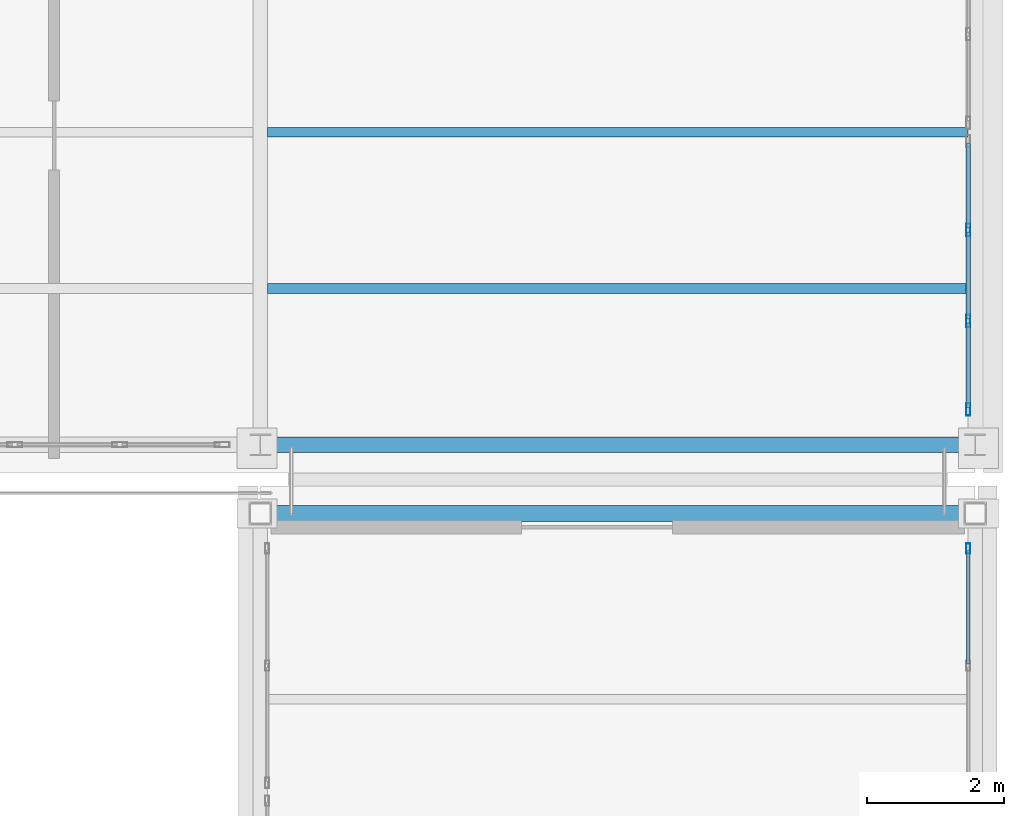
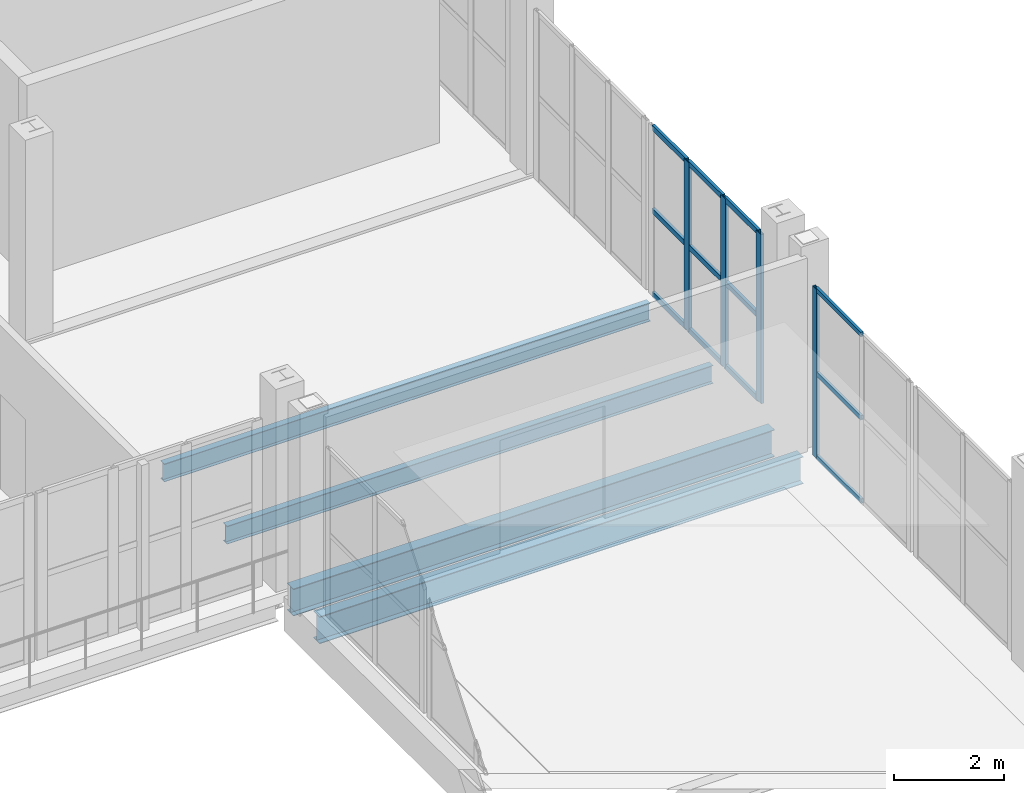
# One storey, part 95 of 156: 16 members, 4 beams, 2 elements without a shape of their own.
"""IFC4 building model written with IfcOpenShell, lengths in metres."""

from ifc_helpers import new_model, si_unit, direction, frame, origin, origin_2d, place, context, subcontext, project, spatial, hollow_rectangle, i_section, extrude, material, material_profile, profile_set, type_object, element, aggregate, save


model = new_model("IFC4")

# Units and contexts
model_context = context("Model", 3, precision=1e-05, world=origin(), true_north=direction((0.0, 1.0)))
body_context = subcontext(model_context, "Body", "Model", "MODEL_VIEW")
ifc_project = project(units=[si_unit("LENGTHUNIT", "METRE"), si_unit("AREAUNIT", "SQUARE_METRE"), si_unit("VOLUMEUNIT", "CUBIC_METRE"), si_unit("PLANEANGLEUNIT", "RADIAN"), si_unit("MASSUNIT", "GRAM", prefix="KILO")], contexts=[model_context])

# Site, building, storey
site_placement = place(None, origin())
site = spatial("IfcSite", under=ifc_project, at=site_placement, CompositionType="ELEMENT")
building_placement = place(site_placement, origin())
building = spatial("IfcBuilding", under=site, at=building_placement, Name="Caurita Quay Ferry Terminal", CompositionType="ELEMENT")
storey_placement = place(building_placement, frame((0.0, 0.0, 5.39990234375)))
storey = spatial("IfcBuildingStorey", under=building, at=storey_placement, Name="L01", CompositionType="ELEMENT", Elevation=5.39990234375)

# Beams
ifc_material_1 = material(Name="Structural steel ASTM A992 Gr. 50", Category="steel")
ifc_material_profile_1 = material_profile(ifc_material_1, i_section(OverallWidth=0.22802734375, OverallDepth=0.60205078125, WebThickness=0.010498046875, FlangeThickness=0.014892578125, at=origin_2d()), Name="W24X68")
ifc_profile_set_1 = profile_set([ifc_material_profile_1], Name="Structural steel ASTM A992 Gr. 50")
beam_type_1 = type_object("IfcBeamType", Name="BM-GR-W24C", PredefinedType="BEAM", material=ifc_profile_set_1)
beam_1_placement = place(storey_placement, frame((163.757568359375, 34.60009765625, -0.535888671875), z_axis=(1.0, 0.0, 0.0), x_axis=(0.0, 1.0, 0.0)))
element("IfcBeam", 1, at=beam_1_placement, inside=storey, type_object=beam_type_1, Name="L01 Beam BM-V3H-L01-X-1638-346", PredefinedType="BEAM", context=body_context, shape_type="SweptSolid", body=[
    extrude(i_section(OverallWidth=0.22802734375, OverallDepth=0.60205078125, WebThickness=0.010498046875, FlangeThickness=0.014892578125, at=origin_2d()), origin(), (0.0, 0.0, 1.0), 10.084716796875),
])
beam_2_placement = place(storey_placement, frame((163.7294921875, 33.60009765625, -0.535888671875), z_axis=(1.0, 0.0, 0.0), x_axis=(0.0, 1.0, 0.0)))
element("IfcBeam", 2, at=beam_2_placement, inside=storey, type_object=beam_type_1, Name="L01 Beam BM-V3P-L01-X-1637-336", PredefinedType="BEAM", context=body_context, shape_type="SweptSolid", body=[
    extrude(i_section(OverallWidth=0.22802734375, OverallDepth=0.60205078125, WebThickness=0.010498046875, FlangeThickness=0.014892578125, at=origin_2d()), origin(), (0.0, 0.0, 1.0), 10.14111328125),
])
ifc_material_profile_2 = material_profile(ifc_material_1, i_section(OverallWidth=0.139892578125, OverallDepth=0.39892578125, WebThickness=0.00634765625, FlangeThickness=0.0087890625, at=origin_2d()), Name="W16X26")
ifc_profile_set_2 = profile_set([ifc_material_profile_2], Name="Structural steel ASTM A992 Gr. 50")
beam_type_2 = type_object("IfcBeamType", Name="BM-JS-W16C", PredefinedType="JOIST", material=ifc_profile_set_2)
for number, where, z_axis, x_axis, name in (
    (3, (163.705322265625, 36.875, -0.434326171875), (1.0, 0.0, 0.0), (0.0, 1.0, 0.0), "L01 Beam JS-V3H-L01-032"),
    (4, (163.705322265625, 39.14990234375, -0.434326171875), (1.0, 0.0, 0.0), (0.0, 1.0, 0.0), "L01 Beam JS-V3H-L01-033"),
):
    element("IfcBeam", number, at=place(storey_placement, frame(where, z_axis=z_axis, x_axis=x_axis)), inside=storey, type_object=beam_type_2, Name=name, PredefinedType="JOIST", context=body_context, shape_type="SweptSolid", body=[
        extrude(i_section(OverallWidth=0.139892578125, OverallDepth=0.39892578125, WebThickness=0.00634765625, FlangeThickness=0.0087890625, at=origin_2d()), origin(), (0.0, 0.0, 1.0), 10.189208984375),
    ])

# Curtain wall, member
ifc_material_2 = material(Name="Laminated solar-control insulated glass", Category="glass")
curtain_wall_type_1 = type_object("IfcCurtainWallType", Name="CW-SYS-16", PredefinedType="NOTDEFINED", material=ifc_material_2)
curtain_wall_1_placement = place(storey_placement, origin())
curtain_wall_1 = element("IfcCurtainWall", 5, at=curtain_wall_1_placement, inside=storey, type_object=curtain_wall_type_1, Name="Boarding Gangway Ribbon Curtain Wall 135", PredefinedType="NOTDEFINED")
ifc_material_3 = material(Name="Anodized aluminium 6063-T6", Category="aluminium")
ifc_material_profile_3 = material_profile(ifc_material_3, hollow_rectangle(XDim=0.06005859375, YDim=0.14990234375, WallThickness=0.00341796875, at=origin_2d()), Name="ALU-MUL-60X150")
ifc_profile_set_3 = profile_set([ifc_material_profile_3], Name="Anodized aluminium 6063-T6")
member_type_1 = type_object("IfcMemberType", Name="CW-MUL-150", PredefinedType="MULLION", material=ifc_profile_set_3)
member_1_placement = place(storey_placement, frame((173.89990234375, 33.090087890625, 0.0), z_axis=(0.0, 0.0, 1.0), x_axis=(-1.0, 0.0, 0.0)))
member_1 = element("IfcMember", 6, at=member_1_placement, type_object=member_type_1, Name="CW-BGW-135 Mullion 3", PredefinedType="MULLION", context=body_context, shape_type="SweptSolid", body=[
    extrude(hollow_rectangle(XDim=0.06005859375, YDim=0.14990234375, WallThickness=0.00341796875, at=origin_2d()), origin(), (0.0, 0.0, 1.0), 3.75),
])

# Curtain wall, members
curtain_wall_type_2 = type_object("IfcCurtainWallType", Name="CW-SYS-18", PredefinedType="NOTDEFINED", material=ifc_material_2)
curtain_wall_2_placement = place(storey_placement, origin())
curtain_wall_2 = element("IfcCurtainWall", 7, at=curtain_wall_2_placement, inside=storey, type_object=curtain_wall_type_2, Name="Boarding Headhouse East Curtain Wall 136", PredefinedType="NOTDEFINED")
ifc_material_profile_4 = material_profile(ifc_material_3, hollow_rectangle(XDim=0.06494140625, YDim=0.179931640625, WallThickness=0.00390625, at=origin_2d()), Name="ALU-MUL-65X180")
ifc_profile_set_4 = profile_set([ifc_material_profile_4], Name="Anodized aluminium 6063-T6")
member_type_2 = type_object("IfcMemberType", Name="CW-MUL-180", PredefinedType="MULLION", material=ifc_profile_set_4)
member_2_placement = place(storey_placement, frame((173.89990234375, 35.112548828125, 0.0), z_axis=(0.0, 0.0, 1.0), x_axis=(-1.0, 0.0, 0.0)))
member_2 = element("IfcMember", 8, at=member_2_placement, type_object=member_type_2, Name="CW-V3E-136 Mullion 1", PredefinedType="MULLION", context=body_context, shape_type="SweptSolid", body=[
    extrude(hollow_rectangle(XDim=0.06494140625, YDim=0.179931640625, WallThickness=0.00390625, at=origin_2d()), origin(), (0.0, 0.0, 1.0), 3.75),
])
member_3_placement = place(storey_placement, frame((173.89990234375, 36.4033203125, 0.0), z_axis=(0.0, 0.0, 1.0), x_axis=(-1.0, 0.0, 0.0)))
member_3 = element("IfcMember", 9, at=member_3_placement, type_object=member_type_2, Name="CW-V3E-136 Mullion 2", PredefinedType="MULLION", context=body_context, shape_type="SweptSolid", body=[
    extrude(hollow_rectangle(XDim=0.06494140625, YDim=0.179931640625, WallThickness=0.00390625, at=origin_2d()), origin(), (0.0, 0.0, 1.0), 3.75),
])
member_4_placement = place(storey_placement, frame((173.89990234375, 37.726806640625, 0.0), z_axis=(0.0, 0.0, 1.0), x_axis=(-1.0, 0.0, 0.0)))
member_4 = element("IfcMember", 10, at=member_4_placement, type_object=member_type_2, Name="CW-V3E-136 Mullion 3", PredefinedType="MULLION", context=body_context, shape_type="SweptSolid", body=[
    extrude(hollow_rectangle(XDim=0.06494140625, YDim=0.179931640625, WallThickness=0.00390625, at=origin_2d()), origin(), (0.0, 0.0, 1.0), 3.75),
])

# Member
ifc_material_profile_5 = material_profile(ifc_material_3, hollow_rectangle(XDim=0.054931640625, YDim=0.10009765625, WallThickness=0.00341796875, at=origin_2d()), Name="ALU-TRN-55X100")
ifc_profile_set_5 = profile_set([ifc_material_profile_5], Name="Anodized aluminium 6063-T6")
member_type_3 = type_object("IfcMemberType", Name="CW-TRN-100", PredefinedType="USERDEFINED", material=ifc_profile_set_5)
member_5_placement = place(storey_placement, frame((173.89990234375, 31.4130859375, 0.027587890625), z_axis=(0.0, 1.0, 0.0), x_axis=(-1.0, 0.0, 0.0)))
member_5 = element("IfcMember", 11, at=member_5_placement, type_object=member_type_3, Name="CW-BGW-135 Transom 4", ObjectType="TRANSOM", PredefinedType="USERDEFINED", context=body_context, shape_type="SweptSolid", body=[
    extrude(hollow_rectangle(XDim=0.054931640625, YDim=0.10009765625, WallThickness=0.00341796875, at=origin_2d()), origin(), (0.0, 0.0, 1.0), 1.64892578125),
])

member_6_placement = place(storey_placement, frame((173.89990234375, 31.4130859375, 1.875), z_axis=(0.0, 1.0, 0.0), x_axis=(-1.0, 0.0, 0.0)))
member_6 = element("IfcMember", 12, at=member_6_placement, type_object=member_type_3, Name="CW-BGW-135 Transom 5", ObjectType="TRANSOM", PredefinedType="USERDEFINED", context=body_context, shape_type="SweptSolid", body=[
    extrude(hollow_rectangle(XDim=0.054931640625, YDim=0.10009765625, WallThickness=0.00341796875, at=origin_2d()), origin(), (0.0, 0.0, 1.0), 1.64892578125),
])

member_7_placement = place(storey_placement, frame((173.89990234375, 31.4130859375, 3.72265625), z_axis=(0.0, 1.0, 0.0), x_axis=(-1.0, 0.0, 0.0)))
member_7 = element("IfcMember", 13, at=member_7_placement, type_object=member_type_3, Name="CW-BGW-135 Transom 6", ObjectType="TRANSOM", PredefinedType="USERDEFINED", context=body_context, shape_type="SweptSolid", body=[
    extrude(hollow_rectangle(XDim=0.054931640625, YDim=0.10009765625, WallThickness=0.00341796875, at=origin_2d()), origin(), (0.0, 0.0, 1.0), 1.64892578125),
])

aggregate(curtain_wall_1, [member_1, member_5, member_6, member_7])

ifc_material_profile_6 = material_profile(ifc_material_3, hollow_rectangle(XDim=0.06005859375, YDim=0.114990234375, WallThickness=0.00341796875, at=origin_2d()), Name="ALU-TRN-60X115")
ifc_profile_set_6 = profile_set([ifc_material_profile_6], Name="Anodized aluminium 6063-T6")
member_type_4 = type_object("IfcMemberType", Name="CW-TRN-115", PredefinedType="USERDEFINED", material=ifc_profile_set_6)
member_8_placement = place(storey_placement, frame((173.89990234375, 35.14306640625, 0.030029296875), z_axis=(0.0, 1.0, 0.0), x_axis=(-1.0, 0.0, 0.0)))
member_8 = element("IfcMember", 14, at=member_8_placement, type_object=member_type_4, Name="CW-V3E-136 Transom 1", ObjectType="TRANSOM", PredefinedType="USERDEFINED", context=body_context, shape_type="SweptSolid", body=[
    extrude(hollow_rectangle(XDim=0.06005859375, YDim=0.114990234375, WallThickness=0.00341796875, at=origin_2d()), origin(), (0.0, 0.0, 1.0), 1.229736328125),
])

member_9_placement = place(storey_placement, frame((173.89990234375, 35.14306640625, 1.875), z_axis=(0.0, 1.0, 0.0), x_axis=(-1.0, 0.0, 0.0)))
member_9 = element("IfcMember", 15, at=member_9_placement, type_object=member_type_4, Name="CW-V3E-136 Transom 2", ObjectType="TRANSOM", PredefinedType="USERDEFINED", context=body_context, shape_type="SweptSolid", body=[
    extrude(hollow_rectangle(XDim=0.06005859375, YDim=0.114990234375, WallThickness=0.00341796875, at=origin_2d()), origin(), (0.0, 0.0, 1.0), 1.229736328125),
])

member_10_placement = place(storey_placement, frame((173.89990234375, 35.14306640625, 3.72021484375), z_axis=(0.0, 1.0, 0.0), x_axis=(-1.0, 0.0, 0.0)))
member_10 = element("IfcMember", 16, at=member_10_placement, type_object=member_type_4, Name="CW-V3E-136 Transom 3", ObjectType="TRANSOM", PredefinedType="USERDEFINED", context=body_context, shape_type="SweptSolid", body=[
    extrude(hollow_rectangle(XDim=0.06005859375, YDim=0.114990234375, WallThickness=0.00341796875, at=origin_2d()), origin(), (0.0, 0.0, 1.0), 1.229736328125),
])

member_11_placement = place(storey_placement, frame((173.89990234375, 36.433837890625, 0.030029296875), z_axis=(0.0, 1.0, 0.0), x_axis=(-1.0, 0.0, 0.0)))
member_11 = element("IfcMember", 17, at=member_11_placement, type_object=member_type_4, Name="CW-V3E-136 Transom 4", ObjectType="TRANSOM", PredefinedType="USERDEFINED", context=body_context, shape_type="SweptSolid", body=[
    extrude(hollow_rectangle(XDim=0.06005859375, YDim=0.114990234375, WallThickness=0.00341796875, at=origin_2d()), origin(), (0.0, 0.0, 1.0), 1.262451171875),
])

member_12_placement = place(storey_placement, frame((173.89990234375, 36.433837890625, 1.875), z_axis=(0.0, 1.0, 0.0), x_axis=(-1.0, 0.0, 0.0)))
member_12 = element("IfcMember", 18, at=member_12_placement, type_object=member_type_4, Name="CW-V3E-136 Transom 5", ObjectType="TRANSOM", PredefinedType="USERDEFINED", context=body_context, shape_type="SweptSolid", body=[
    extrude(hollow_rectangle(XDim=0.06005859375, YDim=0.114990234375, WallThickness=0.00341796875, at=origin_2d()), origin(), (0.0, 0.0, 1.0), 1.262451171875),
])

member_13_placement = place(storey_placement, frame((173.89990234375, 36.433837890625, 3.72021484375), z_axis=(0.0, 1.0, 0.0), x_axis=(-1.0, 0.0, 0.0)))
member_13 = element("IfcMember", 19, at=member_13_placement, type_object=member_type_4, Name="CW-V3E-136 Transom 6", ObjectType="TRANSOM", PredefinedType="USERDEFINED", context=body_context, shape_type="SweptSolid", body=[
    extrude(hollow_rectangle(XDim=0.06005859375, YDim=0.114990234375, WallThickness=0.00341796875, at=origin_2d()), origin(), (0.0, 0.0, 1.0), 1.262451171875),
])

member_14_placement = place(storey_placement, frame((173.89990234375, 37.757080078125, 0.030029296875), z_axis=(0.0, 1.0, 0.0), x_axis=(-1.0, 0.0, 0.0)))
member_14 = element("IfcMember", 20, at=member_14_placement, type_object=member_type_4, Name="CW-V3E-136 Transom 7", ObjectType="TRANSOM", PredefinedType="USERDEFINED", context=body_context, shape_type="SweptSolid", body=[
    extrude(hollow_rectangle(XDim=0.06005859375, YDim=0.114990234375, WallThickness=0.00341796875, at=origin_2d()), origin(), (0.0, 0.0, 1.0), 1.22998046875),
])

member_15_placement = place(storey_placement, frame((173.89990234375, 37.757080078125, 1.875), z_axis=(0.0, 1.0, 0.0), x_axis=(-1.0, 0.0, 0.0)))
member_15 = element("IfcMember", 21, at=member_15_placement, type_object=member_type_4, Name="CW-V3E-136 Transom 8", ObjectType="TRANSOM", PredefinedType="USERDEFINED", context=body_context, shape_type="SweptSolid", body=[
    extrude(hollow_rectangle(XDim=0.06005859375, YDim=0.114990234375, WallThickness=0.00341796875, at=origin_2d()), origin(), (0.0, 0.0, 1.0), 1.22998046875),
])

member_16_placement = place(storey_placement, frame((173.89990234375, 37.757080078125, 3.72021484375), z_axis=(0.0, 1.0, 0.0), x_axis=(-1.0, 0.0, 0.0)))
member_16 = element("IfcMember", 22, at=member_16_placement, type_object=member_type_4, Name="CW-V3E-136 Transom 9", ObjectType="TRANSOM", PredefinedType="USERDEFINED", context=body_context, shape_type="SweptSolid", body=[
    extrude(hollow_rectangle(XDim=0.06005859375, YDim=0.114990234375, WallThickness=0.00341796875, at=origin_2d()), origin(), (0.0, 0.0, 1.0), 1.22998046875),
])

aggregate(curtain_wall_2, [member_2, member_3, member_4, member_8, member_9, member_10, member_11, member_12, member_13, member_14, member_15, member_16])

save(model, "model.ifc")
